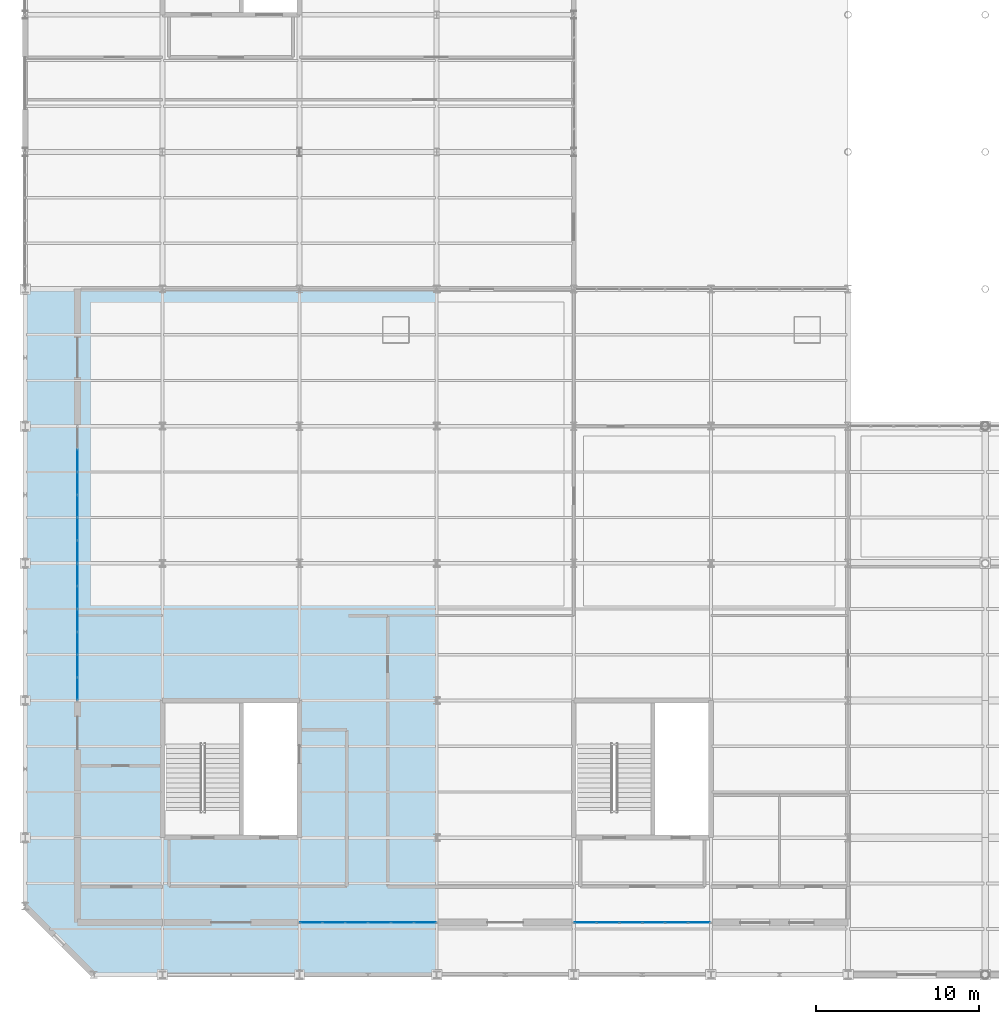
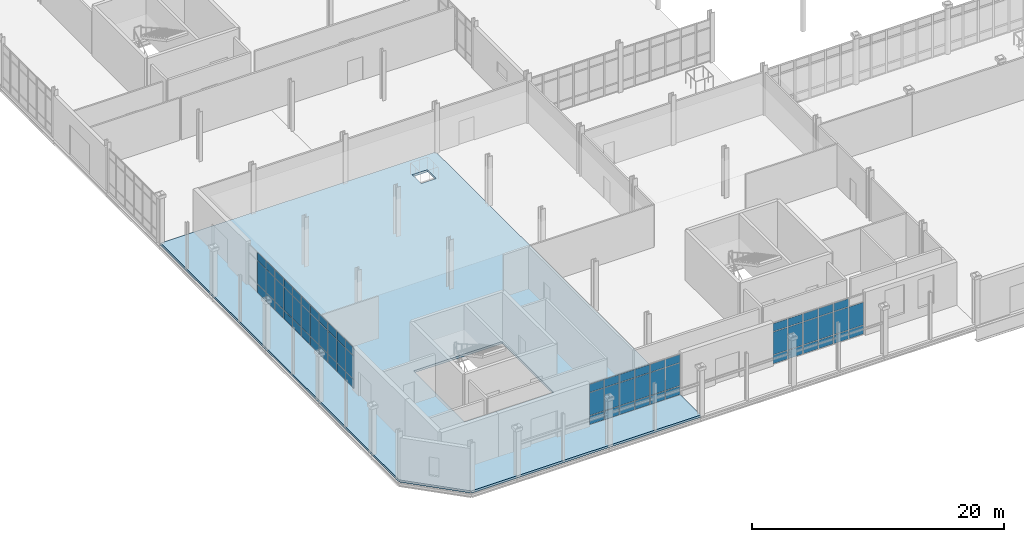
# One storey, part 109 of 145: 68 plates, 1 slab, 4 elements without a shape of their own.
"""IFC4 building model written with IfcOpenShell, lengths in metres."""

from ifc_helpers import new_model, si_unit, direction, frame, origin, origin_2d, place, context, subcontext, project, spatial, polyline, rectangle, outline, extrude, material, layer, layer_set, type_object, element, aggregate, save


model = new_model("IFC4")

# Units and contexts
model_context = context("Model", 3, precision=1e-05, world=origin(), true_north=direction((0.0, 1.0)))
body_context = subcontext(model_context, "Body", "Model", "MODEL_VIEW")
ifc_project = project(units=[si_unit("LENGTHUNIT", "METRE"), si_unit("AREAUNIT", "SQUARE_METRE"), si_unit("VOLUMEUNIT", "CUBIC_METRE"), si_unit("PLANEANGLEUNIT", "RADIAN"), si_unit("MASSUNIT", "GRAM", prefix="KILO")], contexts=[model_context])

# Site, building, storey
site_placement = place(None, origin())
site = spatial("IfcSite", under=ifc_project, at=site_placement, CompositionType="ELEMENT")
building_placement = place(site_placement, origin())
building = spatial("IfcBuilding", under=site, at=building_placement, Name="Qalvenar Corner Mobility Hub", CompositionType="ELEMENT")
storey_placement = place(building_placement, origin())
storey = spatial("IfcBuildingStorey", under=building, at=storey_placement, Name="L00", CompositionType="ELEMENT", Elevation=0.0)

# Curtain wall, plates
ifc_material_1 = material(Name="Anodised Aluminium and Low-E Glazing", Category="aluminium")
ifc_layer_1 = layer(ifc_material_1, 0.14990234375)
ifc_layer_set_1 = layer_set([ifc_layer_1], Name="Anodised Aluminium and Low-E Glazing")
curtain_wall_type = type_object("IfcCurtainWallType", Name="CW-CIV-84X40", PredefinedType="NOTDEFINED", material=ifc_layer_set_1)
curtain_wall_1_placement = place(storey_placement, origin())
curtain_wall_1 = element("IfcCurtainWall", 1, at=curtain_wall_1_placement, inside=storey, type_object=curtain_wall_type, Name="Glazed Curtain Wall CW-V3-L00-W003", PredefinedType="NOTDEFINED")
ifc_material_2 = material(Name="Solar-Control Low-E Double Glazing", Category="glass")
ifc_layer_2 = layer(ifc_material_2, 0.028076171875)
ifc_layer_set_2 = layer_set([ifc_layer_2], Name="Solar-Control Low-E Double Glazing")
plate_type_1 = type_object("IfcPlateType", Name="PLT-CWP-GLZ1", PredefinedType="CURTAIN_PANEL", material=ifc_layer_set_2)
plate_1_placement = place(storey_placement, frame((3.199951171875, 24.485107421875, 0.05517578125), z_axis=(0.0, 0.0, 1.0), x_axis=(0.0, -1.0, 0.0)))
plate_1 = element("IfcPlate", 2, at=plate_1_placement, type_object=plate_type_1, Name="CW-05 panel 1.1", PredefinedType="CURTAIN_PANEL", context=body_context, shape_type="SweptSolid", body=[
    extrude(rectangle(XDim=1.31005859375, YDim=0.028076171875, at=origin_2d()), origin(), (0.0, 0.0, 1.0), 0.8173828125),
])
plate_2_placement = place(storey_placement, frame((3.199951171875, 24.485107421875, 0.92724609375), z_axis=(0.0, 0.0, 1.0), x_axis=(0.0, -1.0, 0.0)))
plate_2 = element("IfcPlate", 3, at=plate_2_placement, type_object=plate_type_1, Name="CW-05 panel 1.2", PredefinedType="CURTAIN_PANEL", context=body_context, shape_type="SweptSolid", body=[
    extrude(rectangle(XDim=1.31005859375, YDim=0.028076171875, at=origin_2d()), origin(), (0.0, 0.0, 1.0), 2.195068359375),
])
plate_3_placement = place(storey_placement, frame((3.199951171875, 24.485107421875, 3.177490234375), z_axis=(0.0, 0.0, 1.0), x_axis=(0.0, -1.0, 0.0)))
plate_3 = element("IfcPlate", 4, at=plate_3_placement, type_object=plate_type_1, Name="CW-05 panel 1.3", PredefinedType="CURTAIN_PANEL", context=body_context, shape_type="SweptSolid", body=[
    extrude(rectangle(XDim=1.31005859375, YDim=0.028076171875, at=origin_2d()), origin(), (0.0, 0.0, 1.0), 0.767578125),
])
plate_4_placement = place(storey_placement, frame((3.199951171875, 23.10009765625, 0.05517578125), z_axis=(0.0, 0.0, 1.0), x_axis=(0.0, -1.0, 0.0)))
plate_4 = element("IfcPlate", 5, at=plate_4_placement, type_object=plate_type_1, Name="CW-05 panel 2.1", PredefinedType="CURTAIN_PANEL", context=body_context, shape_type="SweptSolid", body=[
    extrude(rectangle(XDim=1.340087890625, YDim=0.028076171875, at=origin_2d()), origin(), (0.0, 0.0, 1.0), 0.8173828125),
])
plate_5_placement = place(storey_placement, frame((3.199951171875, 23.10009765625, 0.92724609375), z_axis=(0.0, 0.0, 1.0), x_axis=(0.0, -1.0, 0.0)))
plate_5 = element("IfcPlate", 6, at=plate_5_placement, type_object=plate_type_1, Name="CW-05 panel 2.2", PredefinedType="CURTAIN_PANEL", context=body_context, shape_type="SweptSolid", body=[
    extrude(rectangle(XDim=1.340087890625, YDim=0.028076171875, at=origin_2d()), origin(), (0.0, 0.0, 1.0), 2.195068359375),
])
plate_6_placement = place(storey_placement, frame((3.199951171875, 23.10009765625, 3.177490234375), z_axis=(0.0, 0.0, 1.0), x_axis=(0.0, -1.0, 0.0)))
plate_6 = element("IfcPlate", 7, at=plate_6_placement, type_object=plate_type_1, Name="CW-05 panel 2.3", PredefinedType="CURTAIN_PANEL", context=body_context, shape_type="SweptSolid", body=[
    extrude(rectangle(XDim=1.340087890625, YDim=0.028076171875, at=origin_2d()), origin(), (0.0, 0.0, 1.0), 0.767578125),
])
plate_7_placement = place(storey_placement, frame((3.199951171875, 21.699951171875, 0.05517578125), z_axis=(0.0, 0.0, 1.0), x_axis=(0.0, -1.0, 0.0)))
plate_7 = element("IfcPlate", 8, at=plate_7_placement, type_object=plate_type_1, Name="CW-05 panel 3.1", PredefinedType="CURTAIN_PANEL", context=body_context, shape_type="SweptSolid", body=[
    extrude(rectangle(XDim=1.340087890625, YDim=0.028076171875, at=origin_2d()), origin(), (0.0, 0.0, 1.0), 0.8173828125),
])
plate_8_placement = place(storey_placement, frame((3.199951171875, 21.699951171875, 0.92724609375), z_axis=(0.0, 0.0, 1.0), x_axis=(0.0, -1.0, 0.0)))
plate_8 = element("IfcPlate", 9, at=plate_8_placement, type_object=plate_type_1, Name="CW-05 panel 3.2", PredefinedType="CURTAIN_PANEL", context=body_context, shape_type="SweptSolid", body=[
    extrude(rectangle(XDim=1.340087890625, YDim=0.028076171875, at=origin_2d()), origin(), (0.0, 0.0, 1.0), 2.195068359375),
])
plate_9_placement = place(storey_placement, frame((3.199951171875, 21.699951171875, 3.177490234375), z_axis=(0.0, 0.0, 1.0), x_axis=(0.0, -1.0, 0.0)))
plate_9 = element("IfcPlate", 10, at=plate_9_placement, type_object=plate_type_1, Name="CW-05 panel 3.3", PredefinedType="CURTAIN_PANEL", context=body_context, shape_type="SweptSolid", body=[
    extrude(rectangle(XDim=1.340087890625, YDim=0.028076171875, at=origin_2d()), origin(), (0.0, 0.0, 1.0), 0.767578125),
])
plate_10_placement = place(storey_placement, frame((3.199951171875, 20.300048828125, 0.05517578125), z_axis=(0.0, 0.0, 1.0), x_axis=(0.0, -1.0, 0.0)))
plate_10 = element("IfcPlate", 11, at=plate_10_placement, type_object=plate_type_1, Name="CW-05 panel 4.1", PredefinedType="CURTAIN_PANEL", context=body_context, shape_type="SweptSolid", body=[
    extrude(rectangle(XDim=1.340087890625, YDim=0.028076171875, at=origin_2d()), origin(), (0.0, 0.0, 1.0), 0.8173828125),
])
plate_11_placement = place(storey_placement, frame((3.199951171875, 20.300048828125, 0.92724609375), z_axis=(0.0, 0.0, 1.0), x_axis=(0.0, -1.0, 0.0)))
plate_11 = element("IfcPlate", 12, at=plate_11_placement, type_object=plate_type_1, Name="CW-05 panel 4.2", PredefinedType="CURTAIN_PANEL", context=body_context, shape_type="SweptSolid", body=[
    extrude(rectangle(XDim=1.340087890625, YDim=0.028076171875, at=origin_2d()), origin(), (0.0, 0.0, 1.0), 2.195068359375),
])
plate_12_placement = place(storey_placement, frame((3.199951171875, 20.300048828125, 3.177490234375), z_axis=(0.0, 0.0, 1.0), x_axis=(0.0, -1.0, 0.0)))
plate_12 = element("IfcPlate", 13, at=plate_12_placement, type_object=plate_type_1, Name="CW-05 panel 4.3", PredefinedType="CURTAIN_PANEL", context=body_context, shape_type="SweptSolid", body=[
    extrude(rectangle(XDim=1.340087890625, YDim=0.028076171875, at=origin_2d()), origin(), (0.0, 0.0, 1.0), 0.767578125),
])
plate_13_placement = place(storey_placement, frame((3.199951171875, 18.89990234375, 0.05517578125), z_axis=(0.0, 0.0, 1.0), x_axis=(0.0, -1.0, 0.0)))
plate_13 = element("IfcPlate", 14, at=plate_13_placement, type_object=plate_type_1, Name="CW-05 panel 5.1", PredefinedType="CURTAIN_PANEL", context=body_context, shape_type="SweptSolid", body=[
    extrude(rectangle(XDim=1.340087890625, YDim=0.028076171875, at=origin_2d()), origin(), (0.0, 0.0, 1.0), 0.8173828125),
])
plate_14_placement = place(storey_placement, frame((3.199951171875, 18.89990234375, 0.92724609375), z_axis=(0.0, 0.0, 1.0), x_axis=(0.0, -1.0, 0.0)))
plate_14 = element("IfcPlate", 15, at=plate_14_placement, type_object=plate_type_1, Name="CW-05 panel 5.2", PredefinedType="CURTAIN_PANEL", context=body_context, shape_type="SweptSolid", body=[
    extrude(rectangle(XDim=1.340087890625, YDim=0.028076171875, at=origin_2d()), origin(), (0.0, 0.0, 1.0), 2.195068359375),
])
plate_15_placement = place(storey_placement, frame((3.199951171875, 18.89990234375, 3.177490234375), z_axis=(0.0, 0.0, 1.0), x_axis=(0.0, -1.0, 0.0)))
plate_15 = element("IfcPlate", 16, at=plate_15_placement, type_object=plate_type_1, Name="CW-05 panel 5.3", PredefinedType="CURTAIN_PANEL", context=body_context, shape_type="SweptSolid", body=[
    extrude(rectangle(XDim=1.340087890625, YDim=0.028076171875, at=origin_2d()), origin(), (0.0, 0.0, 1.0), 0.767578125),
])
plate_16_placement = place(storey_placement, frame((3.199951171875, 17.514892578125, 0.05517578125), z_axis=(0.0, 0.0, 1.0), x_axis=(0.0, -1.0, 0.0)))
plate_16 = element("IfcPlate", 17, at=plate_16_placement, type_object=plate_type_1, Name="CW-05 panel 6.1", PredefinedType="CURTAIN_PANEL", context=body_context, shape_type="SweptSolid", body=[
    extrude(rectangle(XDim=1.31005859375, YDim=0.028076171875, at=origin_2d()), origin(), (0.0, 0.0, 1.0), 0.8173828125),
])
plate_17_placement = place(storey_placement, frame((3.199951171875, 17.514892578125, 0.92724609375), z_axis=(0.0, 0.0, 1.0), x_axis=(0.0, -1.0, 0.0)))
plate_17 = element("IfcPlate", 18, at=plate_17_placement, type_object=plate_type_1, Name="CW-05 panel 6.2", PredefinedType="CURTAIN_PANEL", context=body_context, shape_type="SweptSolid", body=[
    extrude(rectangle(XDim=1.31005859375, YDim=0.028076171875, at=origin_2d()), origin(), (0.0, 0.0, 1.0), 2.195068359375),
])
plate_18_placement = place(storey_placement, frame((3.199951171875, 17.514892578125, 3.177490234375), z_axis=(0.0, 0.0, 1.0), x_axis=(0.0, -1.0, 0.0)))
plate_18 = element("IfcPlate", 19, at=plate_18_placement, type_object=plate_type_1, Name="CW-05 panel 6.3", PredefinedType="CURTAIN_PANEL", context=body_context, shape_type="SweptSolid", body=[
    extrude(rectangle(XDim=1.31005859375, YDim=0.028076171875, at=origin_2d()), origin(), (0.0, 0.0, 1.0), 0.767578125),
])
aggregate(curtain_wall_1, [plate_1, plate_2, plate_3, plate_4, plate_5, plate_6, plate_7, plate_8, plate_9, plate_10, plate_11, plate_12, plate_13, plate_14, plate_15, plate_16, plate_17, plate_18])

curtain_wall_2_placement = place(storey_placement, origin())
curtain_wall_2 = element("IfcCurtainWall", 20, at=curtain_wall_2_placement, inside=storey, type_object=curtain_wall_type, Name="Glazed Curtain Wall CW-V3-L00-W004", PredefinedType="NOTDEFINED")
plate_19_placement = place(storey_placement, frame((3.199951171875, 31.5, 0.05517578125), z_axis=(0.0, 0.0, 1.0), x_axis=(0.0, -1.0, 0.0)))
plate_19 = element("IfcPlate", 21, at=plate_19_placement, type_object=plate_type_1, Name="CW-05 panel 2.1", PredefinedType="CURTAIN_PANEL", context=body_context, shape_type="SweptSolid", body=[
    extrude(rectangle(XDim=1.340087890625, YDim=0.028076171875, at=origin_2d()), origin(), (0.0, 0.0, 1.0), 0.8173828125),
])
plate_20_placement = place(storey_placement, frame((3.199951171875, 31.5, 0.92724609375), z_axis=(0.0, 0.0, 1.0), x_axis=(0.0, -1.0, 0.0)))
plate_20 = element("IfcPlate", 22, at=plate_20_placement, type_object=plate_type_1, Name="CW-05 panel 2.2", PredefinedType="CURTAIN_PANEL", context=body_context, shape_type="SweptSolid", body=[
    extrude(rectangle(XDim=1.340087890625, YDim=0.028076171875, at=origin_2d()), origin(), (0.0, 0.0, 1.0), 2.195068359375),
])
plate_21_placement = place(storey_placement, frame((3.199951171875, 31.5, 3.177490234375), z_axis=(0.0, 0.0, 1.0), x_axis=(0.0, -1.0, 0.0)))
plate_21 = element("IfcPlate", 23, at=plate_21_placement, type_object=plate_type_1, Name="CW-05 panel 2.3", PredefinedType="CURTAIN_PANEL", context=body_context, shape_type="SweptSolid", body=[
    extrude(rectangle(XDim=1.340087890625, YDim=0.028076171875, at=origin_2d()), origin(), (0.0, 0.0, 1.0), 0.767578125),
])
plate_22_placement = place(storey_placement, frame((3.199951171875, 30.10009765625, 0.05517578125), z_axis=(0.0, 0.0, 1.0), x_axis=(0.0, -1.0, 0.0)))
plate_22 = element("IfcPlate", 24, at=plate_22_placement, type_object=plate_type_1, Name="CW-05 panel 3.1", PredefinedType="CURTAIN_PANEL", context=body_context, shape_type="SweptSolid", body=[
    extrude(rectangle(XDim=1.340087890625, YDim=0.028076171875, at=origin_2d()), origin(), (0.0, 0.0, 1.0), 0.8173828125),
])
plate_23_placement = place(storey_placement, frame((3.199951171875, 30.10009765625, 0.92724609375), z_axis=(0.0, 0.0, 1.0), x_axis=(0.0, -1.0, 0.0)))
plate_23 = element("IfcPlate", 25, at=plate_23_placement, type_object=plate_type_1, Name="CW-05 panel 3.2", PredefinedType="CURTAIN_PANEL", context=body_context, shape_type="SweptSolid", body=[
    extrude(rectangle(XDim=1.340087890625, YDim=0.028076171875, at=origin_2d()), origin(), (0.0, 0.0, 1.0), 2.195068359375),
])
plate_24_placement = place(storey_placement, frame((3.199951171875, 30.10009765625, 3.177490234375), z_axis=(0.0, 0.0, 1.0), x_axis=(0.0, -1.0, 0.0)))
plate_24 = element("IfcPlate", 26, at=plate_24_placement, type_object=plate_type_1, Name="CW-05 panel 3.3", PredefinedType="CURTAIN_PANEL", context=body_context, shape_type="SweptSolid", body=[
    extrude(rectangle(XDim=1.340087890625, YDim=0.028076171875, at=origin_2d()), origin(), (0.0, 0.0, 1.0), 0.767578125),
])
plate_25_placement = place(storey_placement, frame((3.199951171875, 28.699951171875, 0.05517578125), z_axis=(0.0, 0.0, 1.0), x_axis=(0.0, -1.0, 0.0)))
plate_25 = element("IfcPlate", 27, at=plate_25_placement, type_object=plate_type_1, Name="CW-05 panel 4.1", PredefinedType="CURTAIN_PANEL", context=body_context, shape_type="SweptSolid", body=[
    extrude(rectangle(XDim=1.340087890625, YDim=0.028076171875, at=origin_2d()), origin(), (0.0, 0.0, 1.0), 0.8173828125),
])
plate_26_placement = place(storey_placement, frame((3.199951171875, 28.699951171875, 0.92724609375), z_axis=(0.0, 0.0, 1.0), x_axis=(0.0, -1.0, 0.0)))
plate_26 = element("IfcPlate", 28, at=plate_26_placement, type_object=plate_type_1, Name="CW-05 panel 4.2", PredefinedType="CURTAIN_PANEL", context=body_context, shape_type="SweptSolid", body=[
    extrude(rectangle(XDim=1.340087890625, YDim=0.028076171875, at=origin_2d()), origin(), (0.0, 0.0, 1.0), 2.195068359375),
])
plate_27_placement = place(storey_placement, frame((3.199951171875, 28.699951171875, 3.177490234375), z_axis=(0.0, 0.0, 1.0), x_axis=(0.0, -1.0, 0.0)))
plate_27 = element("IfcPlate", 29, at=plate_27_placement, type_object=plate_type_1, Name="CW-05 panel 4.3", PredefinedType="CURTAIN_PANEL", context=body_context, shape_type="SweptSolid", body=[
    extrude(rectangle(XDim=1.340087890625, YDim=0.028076171875, at=origin_2d()), origin(), (0.0, 0.0, 1.0), 0.767578125),
])
plate_28_placement = place(storey_placement, frame((3.199951171875, 27.300048828125, 0.05517578125), z_axis=(0.0, 0.0, 1.0), x_axis=(0.0, -1.0, 0.0)))
plate_28 = element("IfcPlate", 30, at=plate_28_placement, type_object=plate_type_1, Name="CW-05 panel 5.1", PredefinedType="CURTAIN_PANEL", context=body_context, shape_type="SweptSolid", body=[
    extrude(rectangle(XDim=1.340087890625, YDim=0.028076171875, at=origin_2d()), origin(), (0.0, 0.0, 1.0), 0.8173828125),
])
plate_29_placement = place(storey_placement, frame((3.199951171875, 27.300048828125, 0.92724609375), z_axis=(0.0, 0.0, 1.0), x_axis=(0.0, -1.0, 0.0)))
plate_29 = element("IfcPlate", 31, at=plate_29_placement, type_object=plate_type_1, Name="CW-05 panel 5.2", PredefinedType="CURTAIN_PANEL", context=body_context, shape_type="SweptSolid", body=[
    extrude(rectangle(XDim=1.340087890625, YDim=0.028076171875, at=origin_2d()), origin(), (0.0, 0.0, 1.0), 2.195068359375),
])
plate_30_placement = place(storey_placement, frame((3.199951171875, 27.300048828125, 3.177490234375), z_axis=(0.0, 0.0, 1.0), x_axis=(0.0, -1.0, 0.0)))
plate_30 = element("IfcPlate", 32, at=plate_30_placement, type_object=plate_type_1, Name="CW-05 panel 5.3", PredefinedType="CURTAIN_PANEL", context=body_context, shape_type="SweptSolid", body=[
    extrude(rectangle(XDim=1.340087890625, YDim=0.028076171875, at=origin_2d()), origin(), (0.0, 0.0, 1.0), 0.767578125),
])
plate_31_placement = place(storey_placement, frame((3.199951171875, 25.9150390625, 0.05517578125), z_axis=(0.0, 0.0, 1.0), x_axis=(0.0, -1.0, 0.0)))
plate_31 = element("IfcPlate", 33, at=plate_31_placement, type_object=plate_type_1, Name="CW-05 panel 6.1", PredefinedType="CURTAIN_PANEL", context=body_context, shape_type="SweptSolid", body=[
    extrude(rectangle(XDim=1.31005859375, YDim=0.028076171875, at=origin_2d()), origin(), (0.0, 0.0, 1.0), 0.8173828125),
])
plate_32_placement = place(storey_placement, frame((3.199951171875, 25.9150390625, 0.92724609375), z_axis=(0.0, 0.0, 1.0), x_axis=(0.0, -1.0, 0.0)))
plate_32 = element("IfcPlate", 34, at=plate_32_placement, type_object=plate_type_1, Name="CW-05 panel 6.2", PredefinedType="CURTAIN_PANEL", context=body_context, shape_type="SweptSolid", body=[
    extrude(rectangle(XDim=1.31005859375, YDim=0.028076171875, at=origin_2d()), origin(), (0.0, 0.0, 1.0), 2.195068359375),
])
plate_33_placement = place(storey_placement, frame((3.199951171875, 25.9150390625, 3.177490234375), z_axis=(0.0, 0.0, 1.0), x_axis=(0.0, -1.0, 0.0)))
plate_33 = element("IfcPlate", 35, at=plate_33_placement, type_object=plate_type_1, Name="CW-05 panel 6.3", PredefinedType="CURTAIN_PANEL", context=body_context, shape_type="SweptSolid", body=[
    extrude(rectangle(XDim=1.31005859375, YDim=0.028076171875, at=origin_2d()), origin(), (0.0, 0.0, 1.0), 0.767578125),
])
aggregate(curtain_wall_2, [plate_19, plate_20, plate_21, plate_22, plate_23, plate_24, plate_25, plate_26, plate_27, plate_28, plate_29, plate_30, plate_31, plate_32, plate_33])

curtain_wall_3_placement = place(storey_placement, origin())
curtain_wall_3 = element("IfcCurtainWall", 36, at=curtain_wall_3_placement, inside=storey, type_object=curtain_wall_type, Name="Glazed Curtain Wall CW-V3-L00-S001", PredefinedType="NOTDEFINED")
ifc_layer_3 = layer(ifc_material_2, 0.02587890625)
ifc_layer_set_3 = layer_set([ifc_layer_3], Name="Solar-Control Low-E Double Glazing")
plate_type_2 = type_object("IfcPlateType", Name="PLT-CWP-GLZ2", PredefinedType="CURTAIN_PANEL", material=ifc_layer_set_3)
plate_34_placement = place(storey_placement, frame((17.514892578125, 3.199951171875, 0.05517578125), z_axis=(0.0, 0.0, 1.0), x_axis=(1.0, 0.0, 0.0)))
plate_34 = element("IfcPlate", 37, at=plate_34_placement, type_object=plate_type_2, Name="CW-05 panel 1.1", PredefinedType="CURTAIN_PANEL", context=body_context, shape_type="SweptSolid", body=[
    extrude(rectangle(XDim=1.31005859375, YDim=0.02587890625, at=origin_2d()), origin(), (0.0, 0.0, 1.0), 0.8173828125),
])
plate_35_placement = place(storey_placement, frame((17.514892578125, 3.199951171875, 0.92724609375), z_axis=(0.0, 0.0, 1.0), x_axis=(1.0, 0.0, 0.0)))
plate_35 = element("IfcPlate", 38, at=plate_35_placement, type_object=plate_type_2, Name="CW-05 panel 1.2", PredefinedType="CURTAIN_PANEL", context=body_context, shape_type="SweptSolid", body=[
    extrude(rectangle(XDim=1.31005859375, YDim=0.02587890625, at=origin_2d()), origin(), (0.0, 0.0, 1.0), 2.195068359375),
])
plate_36_placement = place(storey_placement, frame((17.514892578125, 3.199951171875, 3.177490234375), z_axis=(0.0, 0.0, 1.0), x_axis=(1.0, 0.0, 0.0)))
plate_36 = element("IfcPlate", 39, at=plate_36_placement, type_object=plate_type_2, Name="CW-05 panel 1.3", PredefinedType="CURTAIN_PANEL", context=body_context, shape_type="SweptSolid", body=[
    extrude(rectangle(XDim=1.31005859375, YDim=0.02587890625, at=origin_2d()), origin(), (0.0, 0.0, 1.0), 0.767578125),
])
plate_37_placement = place(storey_placement, frame((18.89990234375, 3.199951171875, 0.05517578125), z_axis=(0.0, 0.0, 1.0), x_axis=(1.0, 0.0, 0.0)))
plate_37 = element("IfcPlate", 40, at=plate_37_placement, type_object=plate_type_2, Name="CW-05 panel 2.1", PredefinedType="CURTAIN_PANEL", context=body_context, shape_type="SweptSolid", body=[
    extrude(rectangle(XDim=1.340087890625, YDim=0.02587890625, at=origin_2d()), origin(), (0.0, 0.0, 1.0), 0.8173828125),
])
plate_38_placement = place(storey_placement, frame((18.89990234375, 3.199951171875, 0.92724609375), z_axis=(0.0, 0.0, 1.0), x_axis=(1.0, 0.0, 0.0)))
plate_38 = element("IfcPlate", 41, at=plate_38_placement, type_object=plate_type_2, Name="CW-05 panel 2.2", PredefinedType="CURTAIN_PANEL", context=body_context, shape_type="SweptSolid", body=[
    extrude(rectangle(XDim=1.340087890625, YDim=0.02587890625, at=origin_2d()), origin(), (0.0, 0.0, 1.0), 2.195068359375),
])
plate_39_placement = place(storey_placement, frame((18.89990234375, 3.199951171875, 3.177490234375), z_axis=(0.0, 0.0, 1.0), x_axis=(1.0, 0.0, 0.0)))
plate_39 = element("IfcPlate", 42, at=plate_39_placement, type_object=plate_type_2, Name="CW-05 panel 2.3", PredefinedType="CURTAIN_PANEL", context=body_context, shape_type="SweptSolid", body=[
    extrude(rectangle(XDim=1.340087890625, YDim=0.02587890625, at=origin_2d()), origin(), (0.0, 0.0, 1.0), 0.767578125),
])
plate_40_placement = place(storey_placement, frame((20.300048828125, 3.199951171875, 0.05517578125), z_axis=(0.0, 0.0, 1.0), x_axis=(1.0, 0.0, 0.0)))
plate_40 = element("IfcPlate", 43, at=plate_40_placement, type_object=plate_type_2, Name="CW-05 panel 3.1", PredefinedType="CURTAIN_PANEL", context=body_context, shape_type="SweptSolid", body=[
    extrude(rectangle(XDim=1.340087890625, YDim=0.02587890625, at=origin_2d()), origin(), (0.0, 0.0, 1.0), 0.8173828125),
])
plate_41_placement = place(storey_placement, frame((20.300048828125, 3.199951171875, 0.92724609375), z_axis=(0.0, 0.0, 1.0), x_axis=(1.0, 0.0, 0.0)))
plate_41 = element("IfcPlate", 44, at=plate_41_placement, type_object=plate_type_2, Name="CW-05 panel 3.2", PredefinedType="CURTAIN_PANEL", context=body_context, shape_type="SweptSolid", body=[
    extrude(rectangle(XDim=1.340087890625, YDim=0.02587890625, at=origin_2d()), origin(), (0.0, 0.0, 1.0), 2.195068359375),
])
plate_42_placement = place(storey_placement, frame((20.300048828125, 3.199951171875, 3.177490234375), z_axis=(0.0, 0.0, 1.0), x_axis=(1.0, 0.0, 0.0)))
plate_42 = element("IfcPlate", 45, at=plate_42_placement, type_object=plate_type_2, Name="CW-05 panel 3.3", PredefinedType="CURTAIN_PANEL", context=body_context, shape_type="SweptSolid", body=[
    extrude(rectangle(XDim=1.340087890625, YDim=0.02587890625, at=origin_2d()), origin(), (0.0, 0.0, 1.0), 0.767578125),
])
plate_43_placement = place(storey_placement, frame((21.699951171875, 3.199951171875, 0.05517578125), z_axis=(0.0, 0.0, 1.0), x_axis=(1.0, 0.0, 0.0)))
plate_43 = element("IfcPlate", 46, at=plate_43_placement, type_object=plate_type_2, Name="CW-05 panel 4.1", PredefinedType="CURTAIN_PANEL", context=body_context, shape_type="SweptSolid", body=[
    extrude(rectangle(XDim=1.340087890625, YDim=0.02587890625, at=origin_2d()), origin(), (0.0, 0.0, 1.0), 0.8173828125),
])
plate_44_placement = place(storey_placement, frame((21.699951171875, 3.199951171875, 0.92724609375), z_axis=(0.0, 0.0, 1.0), x_axis=(1.0, 0.0, 0.0)))
plate_44 = element("IfcPlate", 47, at=plate_44_placement, type_object=plate_type_2, Name="CW-05 panel 4.2", PredefinedType="CURTAIN_PANEL", context=body_context, shape_type="SweptSolid", body=[
    extrude(rectangle(XDim=1.340087890625, YDim=0.02587890625, at=origin_2d()), origin(), (0.0, 0.0, 1.0), 2.195068359375),
])
plate_45_placement = place(storey_placement, frame((21.699951171875, 3.199951171875, 3.177490234375), z_axis=(0.0, 0.0, 1.0), x_axis=(1.0, 0.0, 0.0)))
plate_45 = element("IfcPlate", 48, at=plate_45_placement, type_object=plate_type_2, Name="CW-05 panel 4.3", PredefinedType="CURTAIN_PANEL", context=body_context, shape_type="SweptSolid", body=[
    extrude(rectangle(XDim=1.340087890625, YDim=0.02587890625, at=origin_2d()), origin(), (0.0, 0.0, 1.0), 0.767578125),
])
plate_46_placement = place(storey_placement, frame((23.10009765625, 3.199951171875, 0.05517578125), z_axis=(0.0, 0.0, 1.0), x_axis=(1.0, 0.0, 0.0)))
plate_46 = element("IfcPlate", 49, at=plate_46_placement, type_object=plate_type_2, Name="CW-05 panel 5.1", PredefinedType="CURTAIN_PANEL", context=body_context, shape_type="SweptSolid", body=[
    extrude(rectangle(XDim=1.340087890625, YDim=0.02587890625, at=origin_2d()), origin(), (0.0, 0.0, 1.0), 0.8173828125),
])
plate_47_placement = place(storey_placement, frame((23.10009765625, 3.199951171875, 0.92724609375), z_axis=(0.0, 0.0, 1.0), x_axis=(1.0, 0.0, 0.0)))
plate_47 = element("IfcPlate", 50, at=plate_47_placement, type_object=plate_type_2, Name="CW-05 panel 5.2", PredefinedType="CURTAIN_PANEL", context=body_context, shape_type="SweptSolid", body=[
    extrude(rectangle(XDim=1.340087890625, YDim=0.02587890625, at=origin_2d()), origin(), (0.0, 0.0, 1.0), 2.195068359375),
])
plate_48_placement = place(storey_placement, frame((23.10009765625, 3.199951171875, 3.177490234375), z_axis=(0.0, 0.0, 1.0), x_axis=(1.0, 0.0, 0.0)))
plate_48 = element("IfcPlate", 51, at=plate_48_placement, type_object=plate_type_2, Name="CW-05 panel 5.3", PredefinedType="CURTAIN_PANEL", context=body_context, shape_type="SweptSolid", body=[
    extrude(rectangle(XDim=1.340087890625, YDim=0.02587890625, at=origin_2d()), origin(), (0.0, 0.0, 1.0), 0.767578125),
])
plate_49_placement = place(storey_placement, frame((24.485107421875, 3.199951171875, 0.05517578125), z_axis=(0.0, 0.0, 1.0), x_axis=(1.0, 0.0, 0.0)))
plate_49 = element("IfcPlate", 52, at=plate_49_placement, type_object=plate_type_2, Name="CW-05 panel 6.1", PredefinedType="CURTAIN_PANEL", context=body_context, shape_type="SweptSolid", body=[
    extrude(rectangle(XDim=1.31005859375, YDim=0.02587890625, at=origin_2d()), origin(), (0.0, 0.0, 1.0), 0.8173828125),
])
plate_50_placement = place(storey_placement, frame((24.485107421875, 3.199951171875, 0.92724609375), z_axis=(0.0, 0.0, 1.0), x_axis=(1.0, 0.0, 0.0)))
plate_50 = element("IfcPlate", 53, at=plate_50_placement, type_object=plate_type_2, Name="CW-05 panel 6.2", PredefinedType="CURTAIN_PANEL", context=body_context, shape_type="SweptSolid", body=[
    extrude(rectangle(XDim=1.31005859375, YDim=0.02587890625, at=origin_2d()), origin(), (0.0, 0.0, 1.0), 2.195068359375),
])
plate_51_placement = place(storey_placement, frame((24.485107421875, 3.199951171875, 3.177490234375), z_axis=(0.0, 0.0, 1.0), x_axis=(1.0, 0.0, 0.0)))
plate_51 = element("IfcPlate", 54, at=plate_51_placement, type_object=plate_type_2, Name="CW-05 panel 6.3", PredefinedType="CURTAIN_PANEL", context=body_context, shape_type="SweptSolid", body=[
    extrude(rectangle(XDim=1.31005859375, YDim=0.02587890625, at=origin_2d()), origin(), (0.0, 0.0, 1.0), 0.767578125),
])
aggregate(curtain_wall_3, [plate_34, plate_35, plate_36, plate_37, plate_38, plate_39, plate_40, plate_41, plate_42, plate_43, plate_44, plate_45, plate_46, plate_47, plate_48, plate_49, plate_50, plate_51])

curtain_wall_4_placement = place(storey_placement, origin())
curtain_wall_4 = element("IfcCurtainWall", 55, at=curtain_wall_4_placement, inside=storey, type_object=curtain_wall_type, Name="Glazed Curtain Wall CW-V3-L00-S002", PredefinedType="NOTDEFINED")
plate_52_placement = place(storey_placement, frame((34.31494140625, 3.199951171875, 0.05517578125), z_axis=(0.0, 0.0, 1.0), x_axis=(1.0, 0.0, 0.0)))
plate_52 = element("IfcPlate", 56, at=plate_52_placement, type_object=plate_type_2, Name="CW-05 panel 1.1", PredefinedType="CURTAIN_PANEL", context=body_context, shape_type="SweptSolid", body=[
    extrude(rectangle(XDim=1.31005859375, YDim=0.02587890625, at=origin_2d()), origin(), (0.0, 0.0, 1.0), 0.8173828125),
])
plate_53_placement = place(storey_placement, frame((34.31494140625, 3.199951171875, 0.92724609375), z_axis=(0.0, 0.0, 1.0), x_axis=(1.0, 0.0, 0.0)))
plate_53 = element("IfcPlate", 57, at=plate_53_placement, type_object=plate_type_2, Name="CW-05 panel 1.2", PredefinedType="CURTAIN_PANEL", context=body_context, shape_type="SweptSolid", body=[
    extrude(rectangle(XDim=1.31005859375, YDim=0.02587890625, at=origin_2d()), origin(), (0.0, 0.0, 1.0), 2.195068359375),
])
plate_54_placement = place(storey_placement, frame((34.31494140625, 3.199951171875, 3.177490234375), z_axis=(0.0, 0.0, 1.0), x_axis=(1.0, 0.0, 0.0)))
plate_54 = element("IfcPlate", 58, at=plate_54_placement, type_object=plate_type_2, Name="CW-05 panel 1.3", PredefinedType="CURTAIN_PANEL", context=body_context, shape_type="SweptSolid", body=[
    extrude(rectangle(XDim=1.31005859375, YDim=0.02587890625, at=origin_2d()), origin(), (0.0, 0.0, 1.0), 0.767578125),
])
plate_55_placement = place(storey_placement, frame((35.699951171875, 3.199951171875, 0.05517578125), z_axis=(0.0, 0.0, 1.0), x_axis=(1.0, 0.0, 0.0)))
plate_55 = element("IfcPlate", 59, at=plate_55_placement, type_object=plate_type_2, Name="CW-05 panel 2.1", PredefinedType="CURTAIN_PANEL", context=body_context, shape_type="SweptSolid", body=[
    extrude(rectangle(XDim=1.340087890625, YDim=0.02587890625, at=origin_2d()), origin(), (0.0, 0.0, 1.0), 0.8173828125),
])
plate_56_placement = place(storey_placement, frame((35.699951171875, 3.199951171875, 0.92724609375), z_axis=(0.0, 0.0, 1.0), x_axis=(1.0, 0.0, 0.0)))
plate_56 = element("IfcPlate", 60, at=plate_56_placement, type_object=plate_type_2, Name="CW-05 panel 2.2", PredefinedType="CURTAIN_PANEL", context=body_context, shape_type="SweptSolid", body=[
    extrude(rectangle(XDim=1.340087890625, YDim=0.02587890625, at=origin_2d()), origin(), (0.0, 0.0, 1.0), 2.195068359375),
])
plate_57_placement = place(storey_placement, frame((35.699951171875, 3.199951171875, 3.177490234375), z_axis=(0.0, 0.0, 1.0), x_axis=(1.0, 0.0, 0.0)))
plate_57 = element("IfcPlate", 61, at=plate_57_placement, type_object=plate_type_2, Name="CW-05 panel 2.3", PredefinedType="CURTAIN_PANEL", context=body_context, shape_type="SweptSolid", body=[
    extrude(rectangle(XDim=1.340087890625, YDim=0.02587890625, at=origin_2d()), origin(), (0.0, 0.0, 1.0), 0.767578125),
])
plate_58_placement = place(storey_placement, frame((37.10009765625, 3.199951171875, 0.05517578125), z_axis=(0.0, 0.0, 1.0), x_axis=(1.0, 0.0, 0.0)))
plate_58 = element("IfcPlate", 62, at=plate_58_placement, type_object=plate_type_2, Name="CW-05 panel 3.1", PredefinedType="CURTAIN_PANEL", context=body_context, shape_type="SweptSolid", body=[
    extrude(rectangle(XDim=1.340087890625, YDim=0.02587890625, at=origin_2d()), origin(), (0.0, 0.0, 1.0), 0.8173828125),
])
plate_59_placement = place(storey_placement, frame((37.10009765625, 3.199951171875, 0.92724609375), z_axis=(0.0, 0.0, 1.0), x_axis=(1.0, 0.0, 0.0)))
plate_59 = element("IfcPlate", 63, at=plate_59_placement, type_object=plate_type_2, Name="CW-05 panel 3.2", PredefinedType="CURTAIN_PANEL", context=body_context, shape_type="SweptSolid", body=[
    extrude(rectangle(XDim=1.340087890625, YDim=0.02587890625, at=origin_2d()), origin(), (0.0, 0.0, 1.0), 2.195068359375),
])
plate_60_placement = place(storey_placement, frame((37.10009765625, 3.199951171875, 3.177490234375), z_axis=(0.0, 0.0, 1.0), x_axis=(1.0, 0.0, 0.0)))
plate_60 = element("IfcPlate", 64, at=plate_60_placement, type_object=plate_type_2, Name="CW-05 panel 3.3", PredefinedType="CURTAIN_PANEL", context=body_context, shape_type="SweptSolid", body=[
    extrude(rectangle(XDim=1.340087890625, YDim=0.02587890625, at=origin_2d()), origin(), (0.0, 0.0, 1.0), 0.767578125),
])
plate_61_placement = place(storey_placement, frame((38.5, 3.199951171875, 0.05517578125), z_axis=(0.0, 0.0, 1.0), x_axis=(1.0, 0.0, 0.0)))
plate_61 = element("IfcPlate", 65, at=plate_61_placement, type_object=plate_type_2, Name="CW-05 panel 4.1", PredefinedType="CURTAIN_PANEL", context=body_context, shape_type="SweptSolid", body=[
    extrude(rectangle(XDim=1.340087890625, YDim=0.02587890625, at=origin_2d()), origin(), (0.0, 0.0, 1.0), 0.8173828125),
])
plate_62_placement = place(storey_placement, frame((38.5, 3.199951171875, 0.92724609375), z_axis=(0.0, 0.0, 1.0), x_axis=(1.0, 0.0, 0.0)))
plate_62 = element("IfcPlate", 66, at=plate_62_placement, type_object=plate_type_2, Name="CW-05 panel 4.2", PredefinedType="CURTAIN_PANEL", context=body_context, shape_type="SweptSolid", body=[
    extrude(rectangle(XDim=1.340087890625, YDim=0.02587890625, at=origin_2d()), origin(), (0.0, 0.0, 1.0), 2.195068359375),
])
plate_63_placement = place(storey_placement, frame((38.5, 3.199951171875, 3.177490234375), z_axis=(0.0, 0.0, 1.0), x_axis=(1.0, 0.0, 0.0)))
plate_63 = element("IfcPlate", 67, at=plate_63_placement, type_object=plate_type_2, Name="CW-05 panel 4.3", PredefinedType="CURTAIN_PANEL", context=body_context, shape_type="SweptSolid", body=[
    extrude(rectangle(XDim=1.340087890625, YDim=0.02587890625, at=origin_2d()), origin(), (0.0, 0.0, 1.0), 0.767578125),
])
plate_64_placement = place(storey_placement, frame((39.89990234375, 3.199951171875, 0.05517578125), z_axis=(0.0, 0.0, 1.0), x_axis=(1.0, 0.0, 0.0)))
plate_64 = element("IfcPlate", 68, at=plate_64_placement, type_object=plate_type_2, Name="CW-05 panel 5.1", PredefinedType="CURTAIN_PANEL", context=body_context, shape_type="SweptSolid", body=[
    extrude(rectangle(XDim=1.340087890625, YDim=0.02587890625, at=origin_2d()), origin(), (0.0, 0.0, 1.0), 0.8173828125),
])
plate_65_placement = place(storey_placement, frame((39.89990234375, 3.199951171875, 0.92724609375), z_axis=(0.0, 0.0, 1.0), x_axis=(1.0, 0.0, 0.0)))
plate_65 = element("IfcPlate", 69, at=plate_65_placement, type_object=plate_type_2, Name="CW-05 panel 5.2", PredefinedType="CURTAIN_PANEL", context=body_context, shape_type="SweptSolid", body=[
    extrude(rectangle(XDim=1.340087890625, YDim=0.02587890625, at=origin_2d()), origin(), (0.0, 0.0, 1.0), 2.195068359375),
])
plate_66_placement = place(storey_placement, frame((39.89990234375, 3.199951171875, 3.177490234375), z_axis=(0.0, 0.0, 1.0), x_axis=(1.0, 0.0, 0.0)))
plate_66 = element("IfcPlate", 70, at=plate_66_placement, type_object=plate_type_2, Name="CW-05 panel 5.3", PredefinedType="CURTAIN_PANEL", context=body_context, shape_type="SweptSolid", body=[
    extrude(rectangle(XDim=1.340087890625, YDim=0.02587890625, at=origin_2d()), origin(), (0.0, 0.0, 1.0), 0.767578125),
])
plate_67_placement = place(storey_placement, frame((41.284912109375, 3.199951171875, 0.05517578125), z_axis=(0.0, 0.0, 1.0), x_axis=(1.0, 0.0, 0.0)))
plate_67 = element("IfcPlate", 71, at=plate_67_placement, type_object=plate_type_2, Name="CW-05 panel 6.1", PredefinedType="CURTAIN_PANEL", context=body_context, shape_type="SweptSolid", body=[
    extrude(rectangle(XDim=1.31005859375, YDim=0.02587890625, at=origin_2d()), origin(), (0.0, 0.0, 1.0), 0.8173828125),
])
plate_68_placement = place(storey_placement, frame((41.284912109375, 3.199951171875, 0.92724609375), z_axis=(0.0, 0.0, 1.0), x_axis=(1.0, 0.0, 0.0)))
plate_68 = element("IfcPlate", 72, at=plate_68_placement, type_object=plate_type_2, Name="CW-05 panel 6.2", PredefinedType="CURTAIN_PANEL", context=body_context, shape_type="SweptSolid", body=[
    extrude(rectangle(XDim=1.31005859375, YDim=0.02587890625, at=origin_2d()), origin(), (0.0, 0.0, 1.0), 2.195068359375),
])
aggregate(curtain_wall_4, [plate_52, plate_53, plate_54, plate_55, plate_56, plate_57, plate_58, plate_59, plate_60, plate_61, plate_62, plate_63, plate_64, plate_65, plate_66, plate_67, plate_68])

# Slab
ifc_material_3 = material(Name="Concrete C35/45", Category="concrete")
ifc_layer_4 = layer(ifc_material_3, 0.219970703125)
ifc_layer_set_4 = layer_set([ifc_layer_4], Name="Concrete C35/45")
slab_type = type_object("IfcSlabType", Name="SLB-COMP220", PredefinedType="FLOOR", material=ifc_layer_set_4)
slab_placement = place(storey_placement, frame((0.0, 0.0, -0.219970703125)))
element("IfcSlab", 73, at=slab_placement, inside=storey, type_object=slab_type, Name="Composite Slab V3-A-L00", PredefinedType="FLOOR", context=body_context, shape_type="SweptSolid", body=[
    extrude(outline(polyline([(4.199951171875, 0.0), (25.199951171875, 0.0), (25.199951171875, 42.0), (0.0, 42.0), (0.0, 4.199951171875), (4.199951171875, 0.0)]), holes=[polyline([(8.530029296875, 8.530029296875), (16.669921875, 8.530029296875), (16.669921875, 16.669921875), (8.530029296875, 16.669921875), (8.530029296875, 8.530029296875)]), polyline([(22.0, 38.800048828125), (23.39990234375, 38.800048828125), (23.39990234375, 40.199951171875), (22.0, 40.199951171875), (22.0, 38.800048828125)])]), origin(), (0.0, 0.0, 1.0), 0.219970703125),
])

save(model, "model.ifc")
